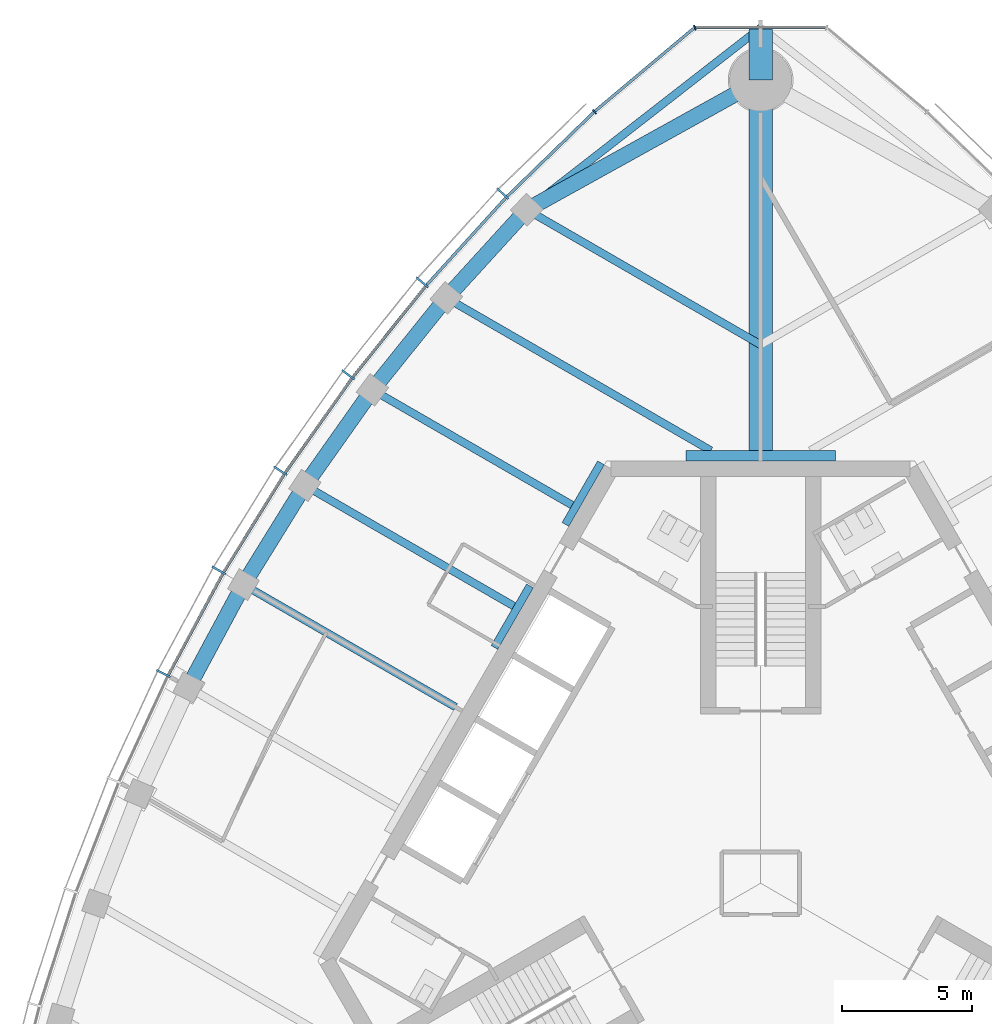
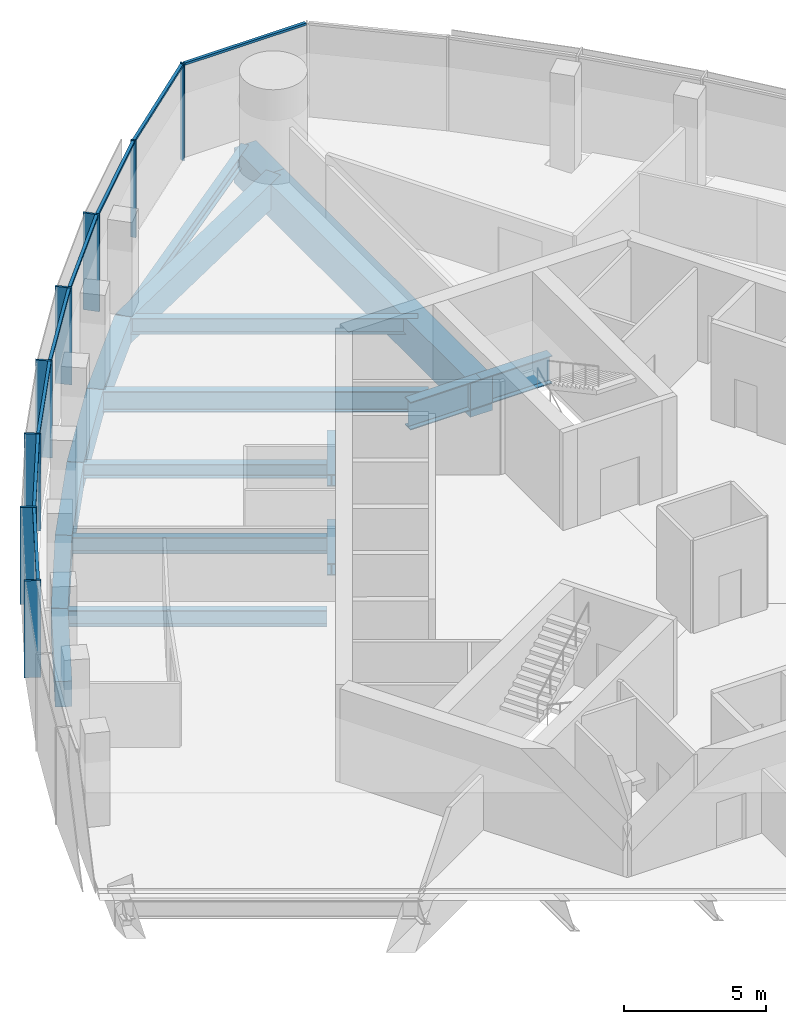
# One storey, part 5 of 16: 18 beams, 16 members, 2 elements without a shape of their own.
"""IFC4 building model written with IfcOpenShell, lengths in metres."""

from ifc_helpers import new_model, si_unit, direction, frame, origin, origin_2d, place, context, subcontext, project, spatial, rectangle, i_section, extrude, material, material_profile, profile_set, type_object, element, aggregate, save


model = new_model("IFC4")

# Units and contexts
model_context = context("Model", 3, precision=1e-05, world=origin(), true_north=direction((0.0, 1.0)))
body_context = subcontext(model_context, "Body", "Model", "MODEL_VIEW")
ifc_project = project(units=[si_unit("LENGTHUNIT", "METRE"), si_unit("AREAUNIT", "SQUARE_METRE"), si_unit("VOLUMEUNIT", "CUBIC_METRE"), si_unit("PLANEANGLEUNIT", "RADIAN"), si_unit("MASSUNIT", "GRAM", prefix="KILO")], contexts=[model_context])

# Site, building, storey
site_placement = place(None, origin())
site = spatial("IfcSite", under=ifc_project, at=site_placement, CompositionType="ELEMENT")
building_placement = place(site_placement, origin())
building = spatial("IfcBuilding", under=site, at=building_placement, Name="Trefoil Bronze Tower", CompositionType="ELEMENT")
storey_placement = place(building_placement, frame((0.0, 0.0, 314.10009765625)))
storey = spatial("IfcBuildingStorey", under=building, at=storey_placement, Name="L72", CompositionType="ELEMENT", Elevation=314.10009765625)

# Curtain wall, members
ifc_material_1 = material(Name="Tinted solar-control glass", Category="glass")
curtain_wall_type_1 = type_object("IfcCurtainWallType", Name="Bronze office curtain wall", PredefinedType="USERDEFINED", material=ifc_material_1)
curtain_wall_1_placement = place(storey_placement, origin())
curtain_wall_1 = element("IfcCurtainWall", 1, at=curtain_wall_1_placement, inside=storey, type_object=curtain_wall_type_1, Name="CW-A L72 F3", ObjectType="CURTAIN WALL", PredefinedType="USERDEFINED")
ifc_material_2 = material(Name="Bronze-finish aluminium", Category="aluminium")
ifc_material_profile_1 = material_profile(ifc_material_2, rectangle(XDim=0.60009765625, YDim=0.080078125, at=origin_2d()), Name="CW-A mullion")
ifc_profile_set_1 = profile_set([ifc_material_profile_1], Name="Bronze-finish aluminium")
member_type_1 = type_object("IfcMemberType", Name="Bronze office curtain wall mullion", PredefinedType="MULLION", material=ifc_profile_set_1)
member_1_placement = place(storey_placement, frame((-9.957275390625, 26.617431640625, 0.0), z_axis=(0.0, 0.0, 1.0), x_axis=(0.719001349715, -0.695008675564, 0.0)))
member_1 = element("IfcMember", 2, at=member_1_placement, type_object=member_type_1, Name="CW-A L72 F3 mullion 2", PredefinedType="MULLION", context=body_context, shape_type="SweptSolid", body=[
    extrude(rectangle(XDim=0.60009765625, YDim=0.080078125, at=origin_2d()), origin(), (0.0, 0.0, 1.0), 4.179931640625),
])
member_2_placement = place(storey_placement, frame((-13.064453125, 23.194091796875, 0.0), z_axis=(0.0, 0.0, 1.0), x_axis=(0.760781190165, -0.649008459646, 0.0)))
member_2 = element("IfcMember", 3, at=member_2_placement, type_object=member_type_1, Name="CW-A L72 F3 mullion 3", PredefinedType="MULLION", context=body_context, shape_type="SweptSolid", body=[
    extrude(rectangle(XDim=0.60009765625, YDim=0.080078125, at=origin_2d()), origin(), (0.0, 0.0, 1.0), 4.179931640625),
])
member_3_placement = place(storey_placement, frame((-15.922607421875, 19.627197265625, 0.0), z_axis=(0.0, 0.0, 1.0), x_axis=(0.799096076136, -0.601203344222, 0.0)))
member_3 = element("IfcMember", 4, at=member_3_placement, type_object=member_type_1, Name="CW-A L72 F3 mullion 4", PredefinedType="MULLION", context=body_context, shape_type="SweptSolid", body=[
    extrude(rectangle(XDim=0.60009765625, YDim=0.080078125, at=origin_2d()), origin(), (0.0, 0.0, 1.0), 4.179931640625),
])
member_4_placement = place(storey_placement, frame((-18.538330078125, 15.920166015625, 0.0), z_axis=(0.0, 0.0, 1.0), x_axis=(0.834159158089, -0.551523797289, 0.0)))
member_4 = element("IfcMember", 5, at=member_4_placement, type_object=member_type_1, Name="CW-A L72 F3 mullion 5", PredefinedType="MULLION", context=body_context, shape_type="SweptSolid", body=[
    extrude(rectangle(XDim=0.60009765625, YDim=0.080078125, at=origin_2d()), origin(), (0.0, 0.0, 1.0), 4.179931640625),
])
member_5_placement = place(storey_placement, frame((-20.916015625, 12.07568359375, 0.0), z_axis=(0.0, 0.0, 1.0), x_axis=(0.866025403784, -0.5, 0.0)))
member_5 = element("IfcMember", 6, at=member_5_placement, type_object=member_type_1, Name="CW-A L72 F3 mullion 6", PredefinedType="MULLION", context=body_context, shape_type="SweptSolid", body=[
    extrude(rectangle(XDim=0.60009765625, YDim=0.080078125, at=origin_2d()), origin(), (0.0, 0.0, 1.0), 4.179931640625),
])
member_6_placement = place(storey_placement, frame((-23.056396484375, 8.094482421875, 0.0), z_axis=(0.0, 0.0, 1.0), x_axis=(0.894713198289, -0.44664112306, 0.0)))
member_6 = element("IfcMember", 7, at=member_6_placement, type_object=member_type_1, Name="CW-A L72 F3 mullion 7", PredefinedType="MULLION", context=body_context, shape_type="SweptSolid", body=[
    extrude(rectangle(XDim=0.60009765625, YDim=0.080078125, at=origin_2d()), origin(), (0.0, 0.0, 1.0), 4.179931640625),
])
ifc_material_3 = material(Name="Bronze-finish aluminium", Category="aluminium")
ifc_material_profile_2 = material_profile(ifc_material_3, rectangle(XDim=0.1201171875, YDim=0.10009765625, at=origin_2d()), Name="CW-A transom")
ifc_profile_set_2 = profile_set([ifc_material_profile_2], Name="Bronze-finish aluminium")
member_type_2 = type_object("IfcMemberType", Name="Bronze office curtain wall transom", PredefinedType="USERDEFINED", material=ifc_profile_set_2)
member_7_placement = place(storey_placement, frame((-6.44921875, 29.7470703125, 4.1298828125), z_axis=(-0.717224617883, -0.696842053484, 0.0), x_axis=(0.696842053484, -0.717224617883, 0.0)))
member_7 = element("IfcMember", 8, at=member_7_placement, type_object=member_type_2, Name="CW-A L72 F3 transom 1", ObjectType="TRANSOM", PredefinedType="USERDEFINED", context=body_context, shape_type="SweptSolid", body=[
    extrude(rectangle(XDim=0.1201171875, YDim=0.10009765625, at=origin_2d()), origin(), (0.0, 0.0, 1.0), 4.6474609375),
])
member_8_placement = place(storey_placement, frame((-9.842529296875, 26.446533203125, 4.1298828125), z_axis=(-0.672068269674, -0.740489190264, 0.0), x_axis=(0.740489190264, -0.672068269674, 0.0)))
member_8 = element("IfcMember", 9, at=member_8_placement, type_object=member_type_2, Name="CW-A L72 F3 transom 2", ObjectType="TRANSOM", PredefinedType="USERDEFINED", context=body_context, shape_type="SweptSolid", body=[
    extrude(rectangle(XDim=0.1201171875, YDim=0.10009765625, at=origin_2d()), origin(), (0.0, 0.0, 1.0), 4.5244140625),
])
member_9_placement = place(storey_placement, frame((-12.939208984375, 23.03076171875, 4.1298828125), z_axis=(-0.625300648488, -0.780383943325, 0.0), x_axis=(0.780383943325, -0.625300648488, 0.0)))
member_9 = element("IfcMember", 10, at=member_9_placement, type_object=member_type_2, Name="CW-A L72 F3 transom 3", ObjectType="TRANSOM", PredefinedType="USERDEFINED", context=body_context, shape_type="SweptSolid", body=[
    extrude(rectangle(XDim=0.1201171875, YDim=0.10009765625, at=origin_2d()), origin(), (0.0, 0.0, 1.0), 4.472412109375),
])
member_10_placement = place(storey_placement, frame((-15.78759765625, 19.4716796875, 4.1298828125), z_axis=(-0.5765665752, -0.817050172488, 0.0), x_axis=(0.817050172488, -0.5765665752, 0.0)))
member_10 = element("IfcMember", 11, at=member_10_placement, type_object=member_type_2, Name="CW-A L72 F3 transom 4", ObjectType="TRANSOM", PredefinedType="USERDEFINED", context=body_context, shape_type="SweptSolid", body=[
    extrude(rectangle(XDim=0.1201171875, YDim=0.10009765625, at=origin_2d()), origin(), (0.0, 0.0, 1.0), 4.4384765625),
])
member_11_placement = place(storey_placement, frame((-18.394287109375, 15.7734375, 4.1298828125), z_axis=(-0.525978235299, -0.850498028212, 0.0), x_axis=(0.850498028212, -0.525978235299, 0.0)))
member_11 = element("IfcMember", 12, at=member_11_placement, type_object=member_type_2, Name="CW-A L72 F3 transom 5", ObjectType="TRANSOM", PredefinedType="USERDEFINED", context=body_context, shape_type="SweptSolid", body=[
    extrude(rectangle(XDim=0.1201171875, YDim=0.10009765625, at=origin_2d()), origin(), (0.0, 0.0, 1.0), 4.422119140625),
])
member_12_placement = place(storey_placement, frame((-20.76318359375, 11.93798828125, 4.1298828125), z_axis=(-0.473540024981, -0.880772300167, 0.0), x_axis=(0.880772300167, -0.473540024981, 0.0)))
member_12 = element("IfcMember", 13, at=member_12_placement, type_object=member_type_2, Name="CW-A L72 F3 transom 6", ObjectType="TRANSOM", PredefinedType="USERDEFINED", context=body_context, shape_type="SweptSolid", body=[
    extrude(rectangle(XDim=0.1201171875, YDim=0.10009765625, at=origin_2d()), origin(), (0.0, 0.0, 1.0), 4.422119140625),
])
aggregate(curtain_wall_1, [member_1, member_2, member_3, member_4, member_5, member_6, member_7, member_8, member_9, member_10, member_11, member_12])

ifc_material_4 = material(Name="Tinted solar-control glass", Category="glass")
curtain_wall_type_2 = type_object("IfcCurtainWallType", Name="Bronze rounded corner curtain wall", PredefinedType="USERDEFINED", material=ifc_material_4)
curtain_wall_2_placement = place(storey_placement, origin())
curtain_wall_2 = element("IfcCurtainWall", 14, at=curtain_wall_2_placement, inside=storey, type_object=curtain_wall_type_2, Name="CW-B L72 K2", ObjectType="CURTAIN WALL", PredefinedType="USERDEFINED")
ifc_material_5 = material(Name="Bronze-finish aluminium", Category="aluminium")
ifc_material_profile_3 = material_profile(ifc_material_5, rectangle(XDim=0.199951171875, YDim=0.06005859375, at=origin_2d()), Name="CW-B mullion")
ifc_profile_set_3 = profile_set([ifc_material_profile_3], Name="Bronze-finish aluminium")
member_type_3 = type_object("IfcMemberType", Name="Bronze rounded corner curtain wall mullion", PredefinedType="MULLION", material=ifc_profile_set_3)
member_13_placement = place(storey_placement, frame((-2.542236328125, 33.021484375, 0.0), z_axis=(0.0, 0.0, 1.0), x_axis=(0.342020143326, -0.939692620786, 0.0)))
member_13 = element("IfcMember", 15, at=member_13_placement, type_object=member_type_3, Name="CW-B L72 K2 mullion 3", PredefinedType="MULLION", context=body_context, shape_type="SweptSolid", body=[
    extrude(rectangle(XDim=0.199951171875, YDim=0.06005859375, at=origin_2d()), origin(), (0.0, 0.0, 1.0), 4.179931640625),
])
member_14_placement = place(storey_placement, frame((-6.4150390625, 29.77978515625, 0.0), z_axis=(0.0, 0.0, 1.0), x_axis=(0.642787609687, -0.766044443119, 0.0)))
member_14 = element("IfcMember", 16, at=member_14_placement, type_object=member_type_3, Name="CW-B L72 K2 mullion 4", PredefinedType="MULLION", context=body_context, shape_type="SweptSolid", body=[
    extrude(rectangle(XDim=0.199951171875, YDim=0.06005859375, at=origin_2d()), origin(), (0.0, 0.0, 1.0), 4.179931640625),
])
ifc_material_6 = material(Name="Bronze-finish aluminium", Category="aluminium")
ifc_material_profile_4 = material_profile(ifc_material_6, rectangle(XDim=0.1201171875, YDim=0.10009765625, at=origin_2d()), Name="CW-B transom")
ifc_profile_set_4 = profile_set([ifc_material_profile_4], Name="Bronze-finish aluminium")
member_type_4 = type_object("IfcMemberType", Name="Bronze rounded corner curtain wall transom", PredefinedType="USERDEFINED", material=ifc_profile_set_4)
member_15_placement = place(storey_placement, frame((2.47802734375, 33.027587890625, 4.1298828125), z_axis=(-1.0, 0.0, 0.0), x_axis=(0.0, -1.0, 0.0)))
member_15 = element("IfcMember", 17, at=member_15_placement, type_object=member_type_4, Name="CW-B L72 K2 transom 2", ObjectType="TRANSOM", PredefinedType="USERDEFINED", context=body_context, shape_type="SweptSolid", body=[
    extrude(rectangle(XDim=0.1201171875, YDim=0.10009765625, at=origin_2d()), origin(), (0.0, 0.0, 1.0), 4.9560546875),
])
member_16_placement = place(storey_placement, frame((-2.595458984375, 32.98486328125, 4.1298828125), z_axis=(-0.766040522511, -0.642792282056, 0.0), x_axis=(0.642792282056, -0.766040522511, 0.0)))
member_16 = element("IfcMember", 18, at=member_16_placement, type_object=member_type_4, Name="CW-B L72 K2 transom 3", ObjectType="TRANSOM", PredefinedType="USERDEFINED", context=body_context, shape_type="SweptSolid", body=[
    extrude(rectangle(XDim=0.1201171875, YDim=0.10009765625, at=origin_2d()), origin(), (0.0, 0.0, 1.0), 4.9560546875),
])
aggregate(curtain_wall_2, [member_13, member_14, member_15, member_16])

# Beams
ifc_material_7 = material(Name="Steel C355", Category="steel")
ifc_material_profile_5 = material_profile(ifc_material_7, i_section(OverallWidth=0.300048828125, OverallDepth=0.5, WebThickness=0.014404296875, FlangeThickness=0.028076171875, FilletRadius=0.027099609375, at=origin_2d()), Name="HEB 500")
ifc_profile_set_5 = profile_set([ifc_material_profile_5], Name="Steel C355")
beam_type_1 = type_object("IfcBeamType", Name="Core seat beam HEB 500", PredefinedType="BEAM", material=ifc_profile_set_5)
for number, where, z_axis, x_axis, name in (
    (19, (-6.163330078125, 16.22509765625, -0.4501953125), (-0.499969057507, -0.866043267704, 0.0), (0.866043267704, -0.499969057507, 0.0), "Core seat beam F3/-2 L72"),
    (20, (-8.905517578125, 11.47509765625, -0.4501953125), (-0.500035825175, -0.866004719122, 0.0), (0.866004719122, -0.500035825175, 0.0), "Core seat beam F3/-1 L72"),
):
    element("IfcBeam", number, at=place(storey_placement, frame(where, z_axis=z_axis, x_axis=x_axis)), inside=storey, type_object=beam_type_1, Name=name, PredefinedType="BEAM", context=body_context, shape_type="SweptSolid", body=[
        extrude(i_section(OverallWidth=0.300048828125, OverallDepth=0.5, WebThickness=0.014404296875, FlangeThickness=0.028076171875, FilletRadius=0.027099609375, at=origin_2d()), origin(), (0.0, 0.0, 1.0), 2.742431640625),
    ])
ifc_material_8 = material(Name="Steel C355", Category="steel")
ifc_material_profile_6 = material_profile(ifc_material_8, i_section(OverallWidth=0.39990234375, OverallDepth=1.199951171875, WebThickness=0.02001953125, FlangeThickness=0.0400390625, FilletRadius=0.010009765625, at=origin_2d()), Name="WPG 1200")
ifc_profile_set_6 = profile_set([ifc_material_profile_6], Name="Steel C355")
beam_type_2 = type_object("IfcBeamType", Name="Core seat beam WPG 1200", PredefinedType="BEAM", material=ifc_profile_set_6)
for number, where, z_axis, x_axis, name in (
    (21, (2.88671875, 16.5, -0.800048828125), (-1.0, 0.0, 0.0), (0.0, -1.0, 0.0), "Core seat beam F2/+3 L72"),
    (22, (0.0, 16.5, -0.800048828125), (-1.0, 0.0, 0.0), (0.0, -1.0, 0.0), "Core seat beam F3/-3 L72"),
):
    element("IfcBeam", number, at=place(storey_placement, frame(where, z_axis=z_axis, x_axis=x_axis)), inside=storey, type_object=beam_type_2, Name=name, PredefinedType="BEAM", context=body_context, shape_type="SweptSolid", body=[
        extrude(i_section(OverallWidth=0.39990234375, OverallDepth=1.199951171875, WebThickness=0.02001953125, FlangeThickness=0.0400390625, FilletRadius=0.010009765625, at=origin_2d()), origin(), (0.0, 0.0, 1.0), 2.88671875),
    ])
ifc_material_9 = material(Name="Concrete B80", Category="concrete")
ifc_material_profile_7 = material_profile(ifc_material_9, rectangle(XDim=0.89990234375, YDim=1.5, at=origin_2d()), Name="RC 900x1500")
ifc_profile_set_7 = profile_set([ifc_material_profile_7], Name="Concrete B80")
beam_type_3 = type_object("IfcBeamType", Name="Corner cantilever RC 900x1500", PredefinedType="BEAM", material=ifc_profile_set_7)
beam_1_placement = place(storey_placement, frame((0.0, 31.0, -0.9501953125), z_axis=(0.0, 1.0, 0.0), x_axis=(-1.0, 0.0, 0.0)))
element("IfcBeam", 23, at=beam_1_placement, inside=storey, type_object=beam_type_3, Name="Corner cantilever K2 L72", PredefinedType="BEAM", context=body_context, shape_type="SweptSolid", body=[
    extrude(rectangle(XDim=0.89990234375, YDim=1.5, at=origin_2d()), origin(), (0.0, 0.0, 1.0), 2.019775390625),
])
ifc_material_10 = material(Name="Steel C355", Category="steel")
ifc_material_profile_8 = material_profile(ifc_material_10, i_section(OverallWidth=0.300048828125, OverallDepth=0.60009765625, WebThickness=0.015380859375, FlangeThickness=0.030029296875, FilletRadius=0.027099609375, at=origin_2d()), Name="HEB 600")
ifc_profile_set_8 = profile_set([ifc_material_profile_8], Name="Steel C355")
beam_type_4 = type_object("IfcBeamType", Name="Corner edge beam HEB 600", PredefinedType="BEAM", material=ifc_profile_set_8)
beam_2_placement = place(storey_placement, frame((-9.02734375, 25.99658203125, -0.5), z_axis=(0.789270604977, 0.614045529354, 0.0), x_axis=(-0.614045529354, 0.789270604977, 0.0)))
element("IfcBeam", 24, at=beam_2_placement, inside=storey, type_object=beam_type_4, Name="Corner edge beam F3B L72", PredefinedType="BEAM", context=body_context, shape_type="SweptSolid", body=[
    extrude(i_section(OverallWidth=0.300048828125, OverallDepth=0.60009765625, WebThickness=0.015380859375, FlangeThickness=0.030029296875, FilletRadius=0.027099609375, at=origin_2d()), origin(), (0.0, 0.0, 1.0), 11.4375),
])
ifc_material_11 = material(Name="Concrete B80", Category="concrete")
ifc_material_profile_9 = material_profile(ifc_material_11, rectangle(XDim=0.89990234375, YDim=1.5, at=origin_2d()), Name="RC 900x1500")
ifc_profile_set_9 = profile_set([ifc_material_profile_9], Name="Concrete B80")
beam_type_5 = type_object("IfcBeamType", Name="Corner girder RC 900x1500", PredefinedType="BEAM", material=ifc_profile_set_9)
beam_3_placement = place(storey_placement, frame((0.0, 16.300048828125, -0.9501953125), z_axis=(0.0, 1.0, 0.0), x_axis=(-1.0, 0.0, 0.0)))
element("IfcBeam", 25, at=beam_3_placement, inside=storey, type_object=beam_type_5, Name="Corner girder K2 L72", PredefinedType="BEAM", context=body_context, shape_type="SweptSolid", body=[
    extrude(rectangle(XDim=0.89990234375, YDim=1.5, at=origin_2d()), origin(), (0.0, 0.0, 1.0), 14.699951171875),
])
ifc_material_12 = material(Name="Concrete B80", Category="concrete")
ifc_material_profile_10 = material_profile(ifc_material_12, rectangle(XDim=0.60009765625, YDim=1.10009765625, at=origin_2d()), Name="RC 600x1100")
ifc_profile_set_10 = profile_set([ifc_material_profile_10], Name="Concrete B80")
beam_type_6 = type_object("IfcBeamType", Name="End spandrel beam RC 600x1100", PredefinedType="SPANDREL", material=ifc_profile_set_10)
beam_4_placement = place(storey_placement, frame((0.0, 31.0, -0.75), z_axis=(-0.874641085074, -0.484771051426, 0.0), x_axis=(0.484771051426, -0.874641085074, 0.0)))
element("IfcBeam", 26, at=beam_4_placement, inside=storey, type_object=beam_type_6, Name="Spandrel F3.1 L72", PredefinedType="SPANDREL", context=body_context, shape_type="SweptSolid", body=[
    extrude(rectangle(XDim=0.60009765625, YDim=1.10009765625, at=origin_2d()), origin(), (0.0, 0.0, 1.0), 10.3212890625),
])
ifc_material_13 = material(Name="Steel C355", Category="steel")
ifc_material_profile_11 = material_profile(ifc_material_13, i_section(OverallWidth=0.300048828125, OverallDepth=0.60009765625, WebThickness=0.015380859375, FlangeThickness=0.030029296875, FilletRadius=0.027099609375, at=origin_2d()), Name="HEB 600")
ifc_profile_set_11 = profile_set([ifc_material_profile_11], Name="Steel C355")
beam_type_7 = type_object("IfcBeamType", Name="Floor beam HEB 600", PredefinedType="BEAM", material=ifc_profile_set_11)
beam_5_placement = place(storey_placement, frame((-14.98486328125, 19.043701171875, -0.5), z_axis=(0.866034827411, -0.499983677445, 0.0), x_axis=(0.499983677445, 0.866034827411, 0.0)))
element("IfcBeam", 27, at=beam_5_placement, inside=storey, type_object=beam_type_7, Name="Floor beam F3/-2 L72", PredefinedType="BEAM", context=body_context, shape_type="SweptSolid", body=[
    extrude(i_section(OverallWidth=0.300048828125, OverallDepth=0.60009765625, WebThickness=0.015380859375, FlangeThickness=0.030029296875, FilletRadius=0.027099609375, at=origin_2d()), origin(), (0.0, 0.0, 1.0), 8.899169921875),
])
ifc_material_14 = material(Name="Steel C355", Category="steel")
ifc_material_profile_12 = material_profile(ifc_material_14, i_section(OverallWidth=0.300048828125, OverallDepth=0.699951171875, WebThickness=0.01708984375, FlangeThickness=0.031982421875, FilletRadius=0.027099609375, at=origin_2d()), Name="HEB 700")
ifc_profile_set_12 = profile_set([ifc_material_profile_12], Name="Steel C355")
beam_type_8 = type_object("IfcBeamType", Name="Floor beam HEB 700", PredefinedType="BEAM", material=ifc_profile_set_12)
beam_6_placement = place(storey_placement, frame((-9.02734375, 25.99658203125, -0.550048828125), z_axis=(0.866026453994, -0.499998180979, 0.0), x_axis=(0.499998180979, 0.866026453994, 0.0)))
element("IfcBeam", 28, at=beam_6_placement, inside=storey, type_object=beam_type_8, Name="Floor beam F3/-4 L72", PredefinedType="BEAM", context=body_context, shape_type="SweptSolid", body=[
    extrude(i_section(OverallWidth=0.300048828125, OverallDepth=0.699951171875, WebThickness=0.01708984375, FlangeThickness=0.031982421875, FilletRadius=0.027099609375, at=origin_2d()), origin(), (0.0, 0.0, 1.0), 10.423828125),
])
beam_7_placement = place(storey_placement, frame((-17.593994140625, 15.35400390625, -0.550048828125), z_axis=(0.866026261222, -0.499998514871, 0.0), x_axis=(0.499998514871, 0.866026261222, 0.0)))
element("IfcBeam", 29, at=beam_7_placement, inside=storey, type_object=beam_type_8, Name="Floor beam F3/-1 L72", PredefinedType="BEAM", context=body_context, shape_type="SweptSolid", body=[
    extrude(i_section(OverallWidth=0.300048828125, OverallDepth=0.699951171875, WebThickness=0.01708984375, FlangeThickness=0.031982421875, FilletRadius=0.027099609375, at=origin_2d()), origin(), (0.0, 0.0, 1.0), 9.31396484375),
])
beam_8_placement = place(storey_placement, frame((-19.96337890625, 11.52587890625, -0.550048828125), z_axis=(0.866029875693, -0.499992254348, 0.0), x_axis=(0.499992254348, 0.866029875693, 0.0)))
element("IfcBeam", 30, at=beam_8_placement, inside=storey, type_object=beam_type_8, Name="Floor beam F3/+0 L72", PredefinedType="BEAM", context=body_context, shape_type="SweptSolid", body=[
    extrude(i_section(OverallWidth=0.300048828125, OverallDepth=0.699951171875, WebThickness=0.01708984375, FlangeThickness=0.031982421875, FilletRadius=0.027099609375, at=origin_2d()), origin(), (0.0, 0.0, 1.0), 9.451904296875),
])
ifc_material_15 = material(Name="Steel C355", Category="steel")
ifc_material_profile_13 = material_profile(ifc_material_15, i_section(OverallWidth=0.300048828125, OverallDepth=0.89990234375, WebThickness=0.0185546875, FlangeThickness=0.034912109375, FilletRadius=0.030029296875, at=origin_2d()), Name="HEB 900")
ifc_profile_set_13 = profile_set([ifc_material_profile_13], Name="Steel C355")
beam_type_9 = type_object("IfcBeamType", Name="Floor beam HEB 900", PredefinedType="BEAM", material=ifc_profile_set_13)
beam_9_placement = place(storey_placement, frame((-12.131591796875, 22.5927734375, -0.650146484375), z_axis=(0.866017581749, -0.500013547917, 0.0), x_axis=(0.500013547917, 0.866017581749, 0.0)))
element("IfcBeam", 31, at=beam_9_placement, inside=storey, type_object=beam_type_9, Name="Floor beam F3/-3 L72", PredefinedType="BEAM", context=body_context, shape_type="SweptSolid", body=[
    extrude(i_section(OverallWidth=0.300048828125, OverallDepth=0.89990234375, WebThickness=0.0185546875, FlangeThickness=0.034912109375, FilletRadius=0.030029296875, at=origin_2d()), origin(), (0.0, 0.0, 1.0), 11.785400390625),
])
ifc_material_16 = material(Name="Concrete B80", Category="concrete")
ifc_material_profile_14 = material_profile(ifc_material_16, rectangle(XDim=0.60009765625, YDim=1.10009765625, at=origin_2d()), Name="RC 600x1100")
ifc_profile_set_14 = profile_set([ifc_material_profile_14], Name="Concrete B80")
beam_type_10 = type_object("IfcBeamType", Name="Spandrel beam RC 600x1100", PredefinedType="SPANDREL", material=ifc_profile_set_14)
beam_10_placement = place(storey_placement, frame((-9.02734375, 25.99658203125, -0.75), z_axis=(-0.673845775847, -0.738872025707, 0.0), x_axis=(0.738872025707, -0.673845775847, 0.0)))
element("IfcBeam", 32, at=beam_10_placement, inside=storey, type_object=beam_type_10, Name="Spandrel F3.2 L72", PredefinedType="SPANDREL", context=body_context, shape_type="SweptSolid", body=[
    extrude(rectangle(XDim=0.60009765625, YDim=1.10009765625, at=origin_2d()), origin(), (0.0, 0.0, 1.0), 4.606689453125),
])
beam_11_placement = place(storey_placement, frame((-12.131591796875, 22.5927734375, -0.75), z_axis=(-0.626569682592, -0.779365403939, 0.0), x_axis=(0.779365403939, -0.626569682592, 0.0)))
element("IfcBeam", 33, at=beam_11_placement, inside=storey, type_object=beam_type_10, Name="Spandrel F3.3 L72", PredefinedType="SPANDREL", context=body_context, shape_type="SweptSolid", body=[
    extrude(rectangle(XDim=0.60009765625, YDim=1.10009765625, at=origin_2d()), origin(), (0.0, 0.0, 1.0), 4.5537109375),
])
beam_12_placement = place(storey_placement, frame((-14.98486328125, 19.043701171875, -0.75), z_axis=(-0.577368105169, -0.816483968693, 0.0), x_axis=(0.816483968693, -0.577368105169, 0.0)))
element("IfcBeam", 34, at=beam_12_placement, inside=storey, type_object=beam_type_10, Name="Spandrel F3.4 L72", PredefinedType="SPANDREL", context=body_context, shape_type="SweptSolid", body=[
    extrude(rectangle(XDim=0.60009765625, YDim=1.10009765625, at=origin_2d()), origin(), (0.0, 0.0, 1.0), 4.51904296875),
])
beam_13_placement = place(storey_placement, frame((-17.593994140625, 15.35400390625, -0.75), z_axis=(-0.526289271956, -0.850305593433, 0.0), x_axis=(0.850305593433, -0.526289271956, 0.0)))
element("IfcBeam", 35, at=beam_13_placement, inside=storey, type_object=beam_type_10, Name="Spandrel F3.5 L72", PredefinedType="SPANDREL", context=body_context, shape_type="SweptSolid", body=[
    extrude(rectangle(XDim=0.60009765625, YDim=1.10009765625, at=origin_2d()), origin(), (0.0, 0.0, 1.0), 4.501953125),
])
beam_14_placement = place(storey_placement, frame((-19.96337890625, 11.52587890625, -0.75), z_axis=(-0.473245885676, -0.880930378458, 0.0), x_axis=(0.880930378458, -0.473245885676, 0.0)))
element("IfcBeam", 36, at=beam_14_placement, inside=storey, type_object=beam_type_10, Name="Spandrel F3.6 L72", PredefinedType="SPANDREL", context=body_context, shape_type="SweptSolid", body=[
    extrude(rectangle(XDim=0.60009765625, YDim=1.10009765625, at=origin_2d()), origin(), (0.0, 0.0, 1.0), 4.502197265625),
])

save(model, "model.ifc")
